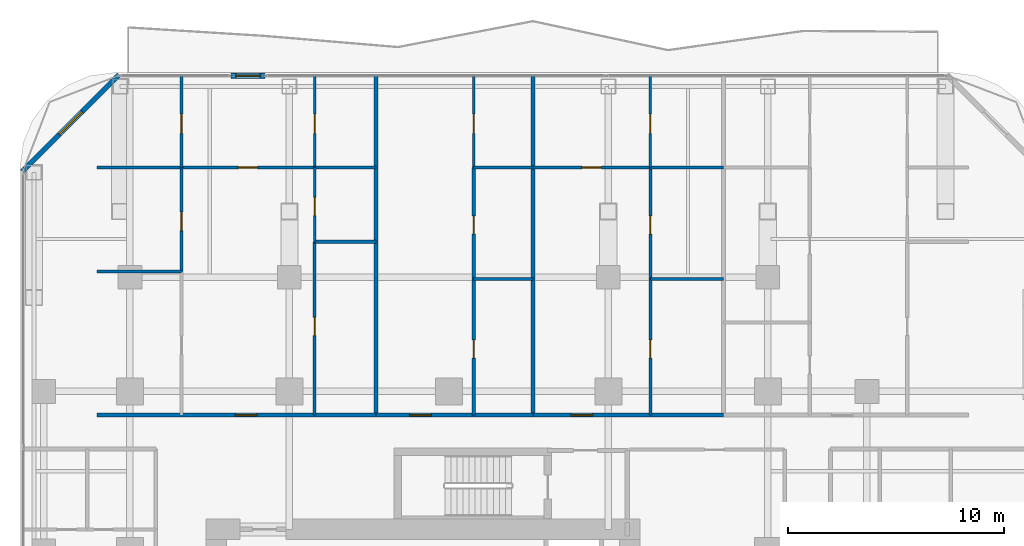
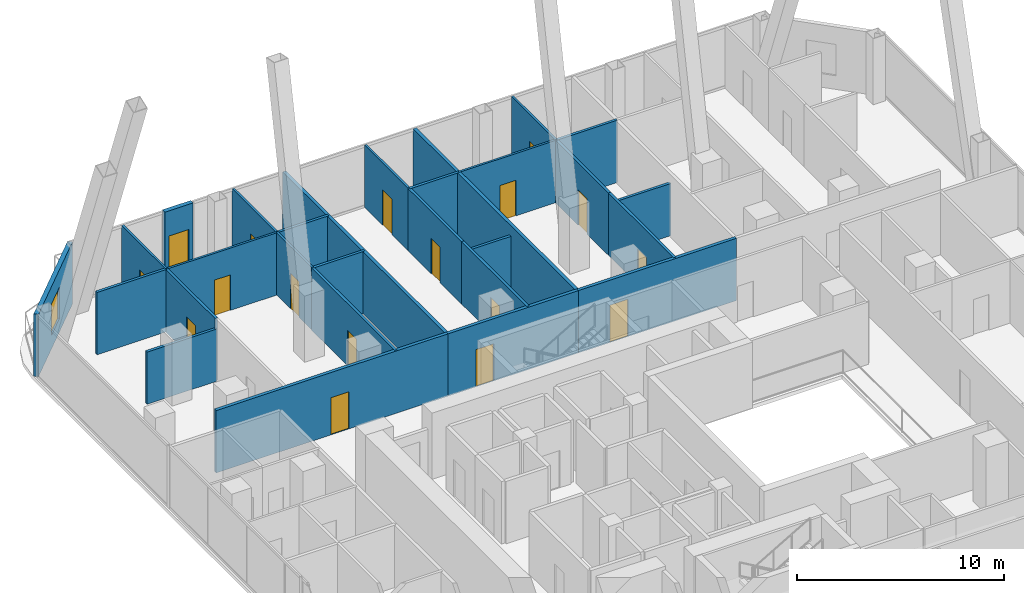
# One storey, part 24 of 28: 28 walls, 17 doors, 1 window, 18 openings.
"""IFC4 building model written with IfcOpenShell, lengths in metres."""

from ifc_helpers import new_model, si_unit, direction, frame, frame_2d, origin, place, context, subcontext, project, spatial, rectangle, extrude, material, layer, layer_set, type_object, element, fill, save


model = new_model("IFC4")

# Units and contexts
model_context = context("Model", 3, precision=1e-05, world=origin(), true_north=direction((0.0, 1.0)))
body_context = subcontext(model_context, "Body", "Model", "MODEL_VIEW")
ifc_project = project(units=[si_unit("LENGTHUNIT", "METRE"), si_unit("AREAUNIT", "SQUARE_METRE"), si_unit("VOLUMEUNIT", "CUBIC_METRE"), si_unit("PLANEANGLEUNIT", "RADIAN"), si_unit("MASSUNIT", "GRAM", prefix="KILO")], contexts=[model_context])

# Site, building, storey
site_placement = place(None, origin())
site = spatial("IfcSite", under=ifc_project, at=site_placement, CompositionType="ELEMENT")
building_placement = place(site_placement, origin())
building = spatial("IfcBuilding", under=site, at=building_placement, Name="Khorvyn Point Tower", CompositionType="ELEMENT")
storey_placement = place(building_placement, frame((0.0, 0.0, 121.199951171875)))
storey = spatial("IfcBuildingStorey", under=building, at=storey_placement, Name="L30", CompositionType="ELEMENT", Elevation=121.199951171875)

# Wall, opening, door
ifc_material_1 = material(Name="Double acoustic gypsum on twin steel stud", Category="steel")
ifc_layer_1 = layer(ifc_material_1, 0.179931640625)
ifc_layer_set_1 = layer_set([ifc_layer_1], Name="Acoustic Double-Stud Apartment Demising Wall 180")
wall_type_1 = type_object("IfcWallType", Name="Acoustic Double-Stud Apartment Demising Wall 180", PredefinedType="PARTITIONING", material=ifc_layer_set_1)
wall_1_placement = place(storey_placement, frame((-16.320068359375, 13.699951171875, 0.0), z_axis=(0.0, 0.0, 1.0), x_axis=(1.0, 0.0, 0.0)))
wall_1 = element("IfcWall", 1, at=wall_1_placement, inside=storey, type_object=wall_type_1, Name="Wall", PredefinedType="PARTITIONING", context=body_context, shape_type="SweptSolid", body=[
    extrude(rectangle(XDim=12.941162109375, YDim=0.179931640625, at=frame_2d((6.470703125, 0.0))), origin(), (0.0, 0.0, 1.0), 3.679931640625),
])
opening_1_placement = place(wall_1_placement, frame((6.41748046875, 0.0, 0.0)))
opening_1 = element("IfcOpeningElement", 2, at=opening_1_placement, cuts=wall_1, Name="Opening ID-AP60", PredefinedType="OPENING", context=body_context, shape_type="SweptSolid", body=[
    extrude(rectangle(XDim=1.0, YDim=2.199951171875, at=frame_2d((0.5, 1.10009765625))), frame((0.0, 0.099853515625, 0.0), z_axis=(0.0, -1.0, 0.0), x_axis=(1.0, 0.0, 0.0)), (0.0, 0.0, 1.0), 0.199951171875),
])
ifc_material_2 = material(Name="Engineered hardwood fire-rated leaf", Category="wood")
door_type_1 = type_object("IfcDoorType", Name="Acoustic Solid-Core Timber Apartment Entrance Door 1000x2200", OperationType="NOTDEFINED", PredefinedType="DOOR", material=ifc_material_2)
door_1_placement = place(opening_1_placement, origin())
door_1 = element("IfcDoor", 3, at=door_1_placement, inside=storey, type_object=door_type_1, Name="Door", OperationType="SINGLE_SWING_RIGHT", OverallHeight=2.199951171875, OverallWidth=1.0, PredefinedType="DOOR", context=body_context, shape_type="SweptSolid", body=[
    extrude(rectangle(XDim=1.0, YDim=2.199951171875, at=frame_2d((0.5, 1.10009765625))), frame((0.0, 0.02490234375, 0.0), z_axis=(0.0, -1.0, 0.0), x_axis=(1.0, 0.0, 0.0)), (0.0, 0.0, 1.0), 0.050048828125),
])
fill(opening_1, door_1)

wall_2_placement = place(storey_placement, frame((-3.37890625, 13.699951171875, 0.0), z_axis=(0.0, 0.0, 1.0), x_axis=(1.0, 0.0, 0.0)))
wall_2 = element("IfcWall", 4, at=wall_2_placement, inside=storey, type_object=wall_type_1, Name="Wall", PredefinedType="PARTITIONING", context=body_context, shape_type="SweptSolid", body=[
    extrude(rectangle(XDim=7.27880859375, YDim=0.179931640625, at=frame_2d((3.639404296875, 0.0))), origin(), (0.0, 0.0, 1.0), 3.679931640625),
])
opening_2_placement = place(wall_2_placement, frame((1.56201171875, 0.0, 0.0)))
opening_2 = element("IfcOpeningElement", 5, at=opening_2_placement, cuts=wall_2, Name="Opening ID-AP60", PredefinedType="OPENING", context=body_context, shape_type="SweptSolid", body=[
    extrude(rectangle(XDim=1.0, YDim=2.199951171875, at=frame_2d((0.5, 1.10009765625))), frame((0.0, 0.099853515625, 0.0), z_axis=(0.0, -1.0, 0.0), x_axis=(1.0, 0.0, 0.0)), (0.0, 0.0, 1.0), 0.199951171875),
])
door_2_placement = place(opening_2_placement, origin())
door_2 = element("IfcDoor", 6, at=door_2_placement, inside=storey, type_object=door_type_1, Name="Door", OperationType="SINGLE_SWING_RIGHT", OverallHeight=2.199951171875, OverallWidth=1.0, PredefinedType="DOOR", context=body_context, shape_type="SweptSolid", body=[
    extrude(rectangle(XDim=1.0, YDim=2.199951171875, at=frame_2d((0.5, 1.10009765625))), frame((0.0, 0.02490234375, 0.0), z_axis=(0.0, -1.0, 0.0), x_axis=(1.0, 0.0, 0.0)), (0.0, 0.0, 1.0), 0.050048828125),
])
fill(opening_2, door_2)

wall_3_placement = place(storey_placement, frame((3.89990234375, 13.699951171875, 0.0), z_axis=(0.0, 0.0, 1.0), x_axis=(1.0, 0.0, 0.0)))
wall_3 = element("IfcWall", 7, at=wall_3_placement, inside=storey, type_object=wall_type_1, Name="Wall", PredefinedType="PARTITIONING", context=body_context, shape_type="SweptSolid", body=[
    extrude(rectangle(XDim=8.836181640625, YDim=0.179931640625, at=frame_2d((4.41796875, 0.0))), origin(), (0.0, 0.0, 1.0), 3.679931640625),
])
opening_3_placement = place(wall_3_placement, frame((1.7705078125, 0.0, 0.0)))
opening_3 = element("IfcOpeningElement", 8, at=opening_3_placement, cuts=wall_3, Name="Opening ID-AP60", PredefinedType="OPENING", context=body_context, shape_type="SweptSolid", body=[
    extrude(rectangle(XDim=1.0, YDim=2.199951171875, at=frame_2d((0.5, 1.10009765625))), frame((0.0, 0.099853515625, 0.0), z_axis=(0.0, -1.0, 0.0), x_axis=(1.0, 0.0, 0.0)), (0.0, 0.0, 1.0), 0.199951171875),
])
door_3_placement = place(opening_3_placement, origin())
door_3 = element("IfcDoor", 9, at=door_3_placement, inside=storey, type_object=door_type_1, Name="Door", OperationType="SINGLE_SWING_RIGHT", OverallHeight=2.199951171875, OverallWidth=1.0, PredefinedType="DOOR", context=body_context, shape_type="SweptSolid", body=[
    extrude(rectangle(XDim=1.0, YDim=2.199951171875, at=frame_2d((0.5, 1.10009765625))), frame((0.0, 0.02490234375, 0.0), z_axis=(0.0, -1.0, 0.0), x_axis=(1.0, 0.0, 0.0)), (0.0, 0.0, 1.0), 0.050048828125),
])
fill(opening_3, door_3)

# Walls
for number, where, z_axis, x_axis, name in (
    (10, (-3.37890625, 13.699951171875, 0.0), (0.0, 0.0, 1.0), (0.0, 1.0, 0.0), "Wall"),
    (11, (3.89990234375, 13.699951171875, 0.0), (0.0, 0.0, 1.0), (0.0, 1.0, 0.0), "Wall"),
):
    element("IfcWall", number, at=place(storey_placement, frame(where, z_axis=z_axis, x_axis=x_axis)), inside=storey, type_object=wall_type_1, Name=name, PredefinedType="PARTITIONING", context=body_context, shape_type="SweptSolid", body=[
        extrude(rectangle(XDim=15.72998046875, YDim=0.179931640625, at=frame_2d((7.864990234375, 0.0))), origin(), (0.0, 0.0, 1.0), 3.679931640625),
    ])

# Wall, opening, door
ifc_material_3 = material(Name="Pale anodised aluminium rainscreen on steel stud", Category="steel")
ifc_layer_2 = layer(ifc_material_3, 0.239990234375)
ifc_layer_set_2 = layer_set([ifc_layer_2], Name="Anodised Aluminium Insulated Corner Spandrel Wall 240")
wall_type_2 = type_object("IfcWallType", Name="Anodised Aluminium Insulated Corner Spandrel Wall 240", PredefinedType="SOLIDWALL", material=ifc_layer_set_2)
wall_4_placement = place(storey_placement, frame((-10.10888671875, 29.449951171875, 0.0), z_axis=(0.0, 0.0, 1.0), x_axis=(1.0, 0.0, 0.0)))
wall_4 = element("IfcWall", 12, at=wall_4_placement, inside=storey, type_object=wall_type_2, Name="L30 North Outdoor Threshold Wall", PredefinedType="SOLIDWALL", context=body_context, shape_type="SweptSolid", body=[
    extrude(rectangle(XDim=1.579833984375, YDim=0.239990234375, at=frame_2d((0.7900390625, 0.0))), origin(), (0.0, 0.0, 1.0), 3.679931640625),
])
opening_4_placement = place(wall_4_placement, frame((0.239990234375, 0.0, 0.0)))
opening_4 = element("IfcOpeningElement", 13, at=opening_4_placement, cuts=wall_4, Name="Opening BD-1122", PredefinedType="OPENING", context=body_context, shape_type="SweptSolid", body=[
    extrude(rectangle(XDim=1.10009765625, YDim=2.199951171875, at=frame_2d((0.550048828125, 1.10009765625))), frame((0.0, 0.1298828125, 0.0), z_axis=(0.0, -1.0, 0.0), x_axis=(1.0, 0.0, 0.0)), (0.0, 0.0, 1.0), 0.260009765625),
])
ifc_material_4 = material(Name="Anodised aluminium 6063-T6 and laminated Low-E glass", Category="aluminium")
door_type_2 = type_object("IfcDoorType", Name="Glazed Balcony and Terrace Threshold Door 1100x2200", OperationType="NOTDEFINED", PredefinedType="DOOR", material=ifc_material_4)
door_4_placement = place(opening_4_placement, origin())
door_4 = element("IfcDoor", 14, at=door_4_placement, inside=storey, type_object=door_type_2, Name="L30 North Glazed Balcony Outdoor Door", OperationType="SINGLE_SWING_LEFT", OverallHeight=2.199951171875, OverallWidth=1.10009765625, PredefinedType="DOOR", context=body_context, shape_type="SweptSolid", body=[
    extrude(rectangle(XDim=1.10009765625, YDim=2.199951171875, at=frame_2d((0.550048828125, 1.10009765625))), frame((0.0, 0.02490234375, 0.0), z_axis=(0.0, -1.0, 0.0), x_axis=(1.0, 0.0, 0.0)), (0.0, 0.0, 1.0), 0.050048828125),
])
fill(opening_4, door_4)

# Wall, opening, window
wall_5_placement = place(storey_placement, frame((-19.79248046875, 25.007568359375, 0.0), z_axis=(0.0, 0.0, 1.0), x_axis=(0.707106781187, 0.707106781187, 0.0)))
wall_5 = element("IfcWall", 15, at=wall_5_placement, inside=storey, type_object=wall_type_2, Name="L30 Rounded Corner Wall NW", PredefinedType="SOLIDWALL", context=body_context, shape_type="SweptSolid", body=[
    extrude(rectangle(XDim=6.342529296875, YDim=0.239990234375, at=frame_2d((3.17138671875, 0.0))), origin(), (0.0, 0.0, 1.0), 3.679931640625),
])
opening_5_placement = place(wall_5_placement, frame((2.42138671875, 0.0, 0.800048828125)))
opening_5 = element("IfcOpeningElement", 16, at=opening_5_placement, cuts=wall_5, Name="Opening WN-1518", PredefinedType="OPENING", context=body_context, shape_type="SweptSolid", body=[
    extrude(rectangle(XDim=1.5, YDim=1.85009765625, at=frame_2d((0.75, 0.925048828125))), frame((0.0, 0.1298828125, 0.0), z_axis=(0.0, -1.0, 0.0), x_axis=(1.0, 0.0, 0.0)), (0.0, 0.0, 1.0), 0.260009765625),
])
window_type = type_object("IfcWindowType", Name="Anodised Aluminium Rounded-Corner Panoramic Window 1500x1850", PartitioningType="SINGLE_PANEL", PredefinedType="WINDOW", material=ifc_material_4)
window_placement = place(opening_5_placement, origin())
window = element("IfcWindow", 17, at=window_placement, inside=storey, type_object=window_type, Name="L30 Corner Panoramic Window NW", OverallHeight=1.85009765625, OverallWidth=1.5, PartitioningType="SINGLE_PANEL", PredefinedType="WINDOW", context=body_context, shape_type="SweptSolid", body=[
    extrude(rectangle(XDim=1.5, YDim=1.85009765625, at=frame_2d((0.75, 0.925048828125))), frame((0.0, 0.030029296875, 0.0), z_axis=(0.0, -1.0, 0.0), x_axis=(1.0, 0.0, 0.0)), (0.0, 0.0, 1.0), 0.06005859375),
])
fill(opening_5, window)

# Wall, opening, door
ifc_material_5 = material(Name="Gypsum plasterboard on steel stud", Category="steel")
ifc_layer_3 = layer(ifc_material_5, 0.1201171875)
ifc_layer_set_3 = layer_set([ifc_layer_3], Name="Gypsum Acoustic Stud Room Partition Wall 120")
wall_type_3 = type_object("IfcWallType", Name="Gypsum Acoustic Stud Room Partition Wall 120", PredefinedType="PARTITIONING", material=ifc_layer_set_3)
wall_6_placement = place(storey_placement, frame((-12.407958984375, 25.18994140625, 0.0), z_axis=(0.0, 0.0, 1.0), x_axis=(1.0, 0.0, 0.0)))
wall_6 = element("IfcWall", 18, at=wall_6_placement, inside=storey, type_object=wall_type_3, Name="Wall", PredefinedType="PARTITIONING", context=body_context, shape_type="SweptSolid", body=[
    extrude(rectangle(XDim=6.178955078125, YDim=0.1201171875, at=frame_2d((3.08935546875, 0.0))), origin(), (0.0, 0.0, 1.0), 3.679931640625),
])
opening_6_placement = place(wall_6_placement, frame((2.639404296875, 0.0, 0.0)))
opening_6 = element("IfcOpeningElement", 19, at=opening_6_placement, cuts=wall_6, Name="Opening ID-RM90", PredefinedType="OPENING", context=body_context, shape_type="SweptSolid", body=[
    extrude(rectangle(XDim=0.89990234375, YDim=2.10009765625, at=frame_2d((0.449951171875, 1.050048828125))), frame((0.0, 0.070068359375, 0.0), z_axis=(0.0, -1.0, 0.0), x_axis=(1.0, 0.0, 0.0)), (0.0, 0.0, 1.0), 0.14013671875),
])
ifc_material_6 = material(Name="Engineered oak veneer timber", Category="wood")
door_type_3 = type_object("IfcDoorType", Name="Flush Engineered Timber Room Door 900x2100", OperationType="NOTDEFINED", PredefinedType="DOOR", material=ifc_material_6)
door_5_placement = place(opening_6_placement, origin())
door_5 = element("IfcDoor", 20, at=door_5_placement, inside=storey, type_object=door_type_3, Name="Door", OperationType="SINGLE_SWING_LEFT", OverallHeight=2.10009765625, OverallWidth=0.89990234375, PredefinedType="DOOR", context=body_context, shape_type="SweptSolid", body=[
    extrude(rectangle(XDim=0.89990234375, YDim=2.10009765625, at=frame_2d((0.449951171875, 1.050048828125))), frame((0.0, 0.02490234375, 0.0), z_axis=(0.0, -1.0, 0.0), x_axis=(1.0, 0.0, 0.0)), (0.0, 0.0, 1.0), 0.050048828125),
])
fill(opening_6, door_5)

wall_7_placement = place(storey_placement, frame((-12.407958984375, 25.18994140625, 0.0), z_axis=(0.0, 0.0, 1.0), x_axis=(0.0, 1.0, 0.0)))
wall_7 = element("IfcWall", 21, at=wall_7_placement, inside=storey, type_object=wall_type_3, Name="Wall", PredefinedType="PARTITIONING", context=body_context, shape_type="SweptSolid", body=[
    extrude(rectangle(XDim=4.239990234375, YDim=0.1201171875, at=frame_2d((2.1201171875, 0.0))), origin(), (0.0, 0.0, 1.0), 3.679931640625),
])
opening_7_placement = place(wall_7_placement, frame((1.581298828125, 0.0, 0.0)))
opening_7 = element("IfcOpeningElement", 22, at=opening_7_placement, cuts=wall_7, Name="Opening ID-RM90", PredefinedType="OPENING", context=body_context, shape_type="SweptSolid", body=[
    extrude(rectangle(XDim=0.89990234375, YDim=2.10009765625, at=frame_2d((0.449951171875, 1.050048828125))), frame((0.0, 0.070068359375, 0.0), z_axis=(0.0, -1.0, 0.0), x_axis=(1.0, 0.0, 0.0)), (0.0, 0.0, 1.0), 0.14013671875),
])
door_6_placement = place(opening_7_placement, origin())
door_6 = element("IfcDoor", 23, at=door_6_placement, inside=storey, type_object=door_type_3, Name="Door", OperationType="SINGLE_SWING_RIGHT", OverallHeight=2.10009765625, OverallWidth=0.89990234375, PredefinedType="DOOR", context=body_context, shape_type="SweptSolid", body=[
    extrude(rectangle(XDim=0.89990234375, YDim=2.10009765625, at=frame_2d((0.449951171875, 1.050048828125))), frame((0.0, 0.02490234375, 0.0), z_axis=(0.0, -1.0, 0.0), x_axis=(1.0, 0.0, 0.0)), (0.0, 0.0, 1.0), 0.050048828125),
])
fill(opening_7, door_6)

wall_8_placement = place(storey_placement, frame((-6.22900390625, 21.742919921875, 0.0), z_axis=(0.0, 0.0, 1.0), x_axis=(0.0, 1.0, 0.0)))
wall_8 = element("IfcWall", 24, at=wall_8_placement, inside=storey, type_object=wall_type_3, Name="Wall", PredefinedType="PARTITIONING", context=body_context, shape_type="SweptSolid", body=[
    extrude(rectangle(XDim=3.447021484375, YDim=0.1201171875, at=frame_2d((1.7236328125, 0.0))), origin(), (0.0, 0.0, 1.0), 3.679931640625),
])
opening_8_placement = place(wall_8_placement, frame((1.2109375, 0.0, 0.0)))
opening_8 = element("IfcOpeningElement", 25, at=opening_8_placement, cuts=wall_8, Name="Opening ID-WC85", PredefinedType="OPENING", context=body_context, shape_type="SweptSolid", body=[
    extrude(rectangle(XDim=0.85009765625, YDim=2.10009765625, at=frame_2d((0.425048828125, 1.050048828125))), frame((0.0, 0.070068359375, 0.0), z_axis=(0.0, -1.0, 0.0), x_axis=(1.0, 0.0, 0.0)), (0.0, 0.0, 1.0), 0.14013671875),
])
ifc_material_7 = material(Name="High-pressure laminate on moisture-resistant core", Category="wood")
door_type_4 = type_object("IfcDoorType", Name="Moisture-Resistant Accessible Washroom Door 850x2100", OperationType="NOTDEFINED", PredefinedType="DOOR", material=ifc_material_7)
door_7_placement = place(opening_8_placement, origin())
door_7 = element("IfcDoor", 26, at=door_7_placement, inside=storey, type_object=door_type_4, Name="Door", OperationType="SINGLE_SWING_RIGHT", OverallHeight=2.10009765625, OverallWidth=0.85009765625, PredefinedType="DOOR", context=body_context, shape_type="SweptSolid", body=[
    extrude(rectangle(XDim=0.85009765625, YDim=2.10009765625, at=frame_2d((0.425048828125, 1.050048828125))), frame((0.0, 0.02490234375, 0.0), z_axis=(0.0, -1.0, 0.0), x_axis=(1.0, 0.0, 0.0)), (0.0, 0.0, 1.0), 0.050048828125),
])
fill(opening_8, door_7)

wall_9_placement = place(storey_placement, frame((-6.22900390625, 25.18994140625, 0.0), z_axis=(0.0, 0.0, 1.0), x_axis=(0.0, 1.0, 0.0)))
wall_9 = element("IfcWall", 27, at=wall_9_placement, inside=storey, type_object=wall_type_3, Name="Wall", PredefinedType="PARTITIONING", context=body_context, shape_type="SweptSolid", body=[
    extrude(rectangle(XDim=4.239990234375, YDim=0.1201171875, at=frame_2d((2.1201171875, 0.0))), origin(), (0.0, 0.0, 1.0), 3.679931640625),
])
opening_9_placement = place(wall_9_placement, frame((1.581298828125, 0.0, 0.0)))
opening_9 = element("IfcOpeningElement", 28, at=opening_9_placement, cuts=wall_9, Name="Opening ID-RM90", PredefinedType="OPENING", context=body_context, shape_type="SweptSolid", body=[
    extrude(rectangle(XDim=0.89990234375, YDim=2.10009765625, at=frame_2d((0.449951171875, 1.050048828125))), frame((0.0, 0.070068359375, 0.0), z_axis=(0.0, -1.0, 0.0), x_axis=(1.0, 0.0, 0.0)), (0.0, 0.0, 1.0), 0.14013671875),
])
door_8_placement = place(opening_9_placement, origin())
door_8 = element("IfcDoor", 29, at=door_8_placement, inside=storey, type_object=door_type_3, Name="Door", OperationType="SINGLE_SWING_LEFT", OverallHeight=2.10009765625, OverallWidth=0.89990234375, PredefinedType="DOOR", context=body_context, shape_type="SweptSolid", body=[
    extrude(rectangle(XDim=0.89990234375, YDim=2.10009765625, at=frame_2d((0.449951171875, 1.050048828125))), frame((0.0, 0.02490234375, 0.0), z_axis=(0.0, -1.0, 0.0), x_axis=(1.0, 0.0, 0.0)), (0.0, 0.0, 1.0), 0.050048828125),
])
fill(opening_9, door_8)

wall_10_placement = place(storey_placement, frame((1.14990234375, 25.18994140625, 0.0), z_axis=(0.0, 0.0, 1.0), x_axis=(0.0, 1.0, 0.0)))
wall_10 = element("IfcWall", 30, at=wall_10_placement, inside=storey, type_object=wall_type_3, Name="Wall", PredefinedType="PARTITIONING", context=body_context, shape_type="SweptSolid", body=[
    extrude(rectangle(XDim=4.239990234375, YDim=0.1201171875, at=frame_2d((2.1201171875, 0.0))), origin(), (0.0, 0.0, 1.0), 3.679931640625),
])
opening_10_placement = place(wall_10_placement, frame((1.581298828125, 0.0, 0.0)))
opening_10 = element("IfcOpeningElement", 31, at=opening_10_placement, cuts=wall_10, Name="Opening ID-RM90", PredefinedType="OPENING", context=body_context, shape_type="SweptSolid", body=[
    extrude(rectangle(XDim=0.89990234375, YDim=2.10009765625, at=frame_2d((0.449951171875, 1.050048828125))), frame((0.0, 0.070068359375, 0.0), z_axis=(0.0, -1.0, 0.0), x_axis=(1.0, 0.0, 0.0)), (0.0, 0.0, 1.0), 0.14013671875),
])
door_9_placement = place(opening_10_placement, origin())
door_9 = element("IfcDoor", 32, at=door_9_placement, inside=storey, type_object=door_type_3, Name="Door", OperationType="SINGLE_SWING_LEFT", OverallHeight=2.10009765625, OverallWidth=0.89990234375, PredefinedType="DOOR", context=body_context, shape_type="SweptSolid", body=[
    extrude(rectangle(XDim=0.89990234375, YDim=2.10009765625, at=frame_2d((0.449951171875, 1.050048828125))), frame((0.0, 0.02490234375, 0.0), z_axis=(0.0, -1.0, 0.0), x_axis=(1.0, 0.0, 0.0)), (0.0, 0.0, 1.0), 0.050048828125),
])
fill(opening_10, door_9)

wall_11_placement = place(storey_placement, frame((3.89990234375, 25.18994140625, 0.0), z_axis=(0.0, 0.0, 1.0), x_axis=(1.0, 0.0, 0.0)))
wall_11 = element("IfcWall", 33, at=wall_11_placement, inside=storey, type_object=wall_type_3, Name="Wall", PredefinedType="PARTITIONING", context=body_context, shape_type="SweptSolid", body=[
    extrude(rectangle(XDim=5.451171875, YDim=0.1201171875, at=frame_2d((2.7255859375, 0.0))), origin(), (0.0, 0.0, 1.0), 3.679931640625),
])
opening_11_placement = place(wall_11_placement, frame((2.275390625, 0.0, 0.0)))
opening_11 = element("IfcOpeningElement", 34, at=opening_11_placement, cuts=wall_11, Name="Opening ID-RM90", PredefinedType="OPENING", context=body_context, shape_type="SweptSolid", body=[
    extrude(rectangle(XDim=0.89990234375, YDim=2.10009765625, at=frame_2d((0.449951171875, 1.050048828125))), frame((0.0, 0.070068359375, 0.0), z_axis=(0.0, -1.0, 0.0), x_axis=(1.0, 0.0, 0.0)), (0.0, 0.0, 1.0), 0.14013671875),
])
door_10_placement = place(opening_11_placement, origin())
door_10 = element("IfcDoor", 35, at=door_10_placement, inside=storey, type_object=door_type_3, Name="Door", OperationType="SINGLE_SWING_LEFT", OverallHeight=2.10009765625, OverallWidth=0.89990234375, PredefinedType="DOOR", context=body_context, shape_type="SweptSolid", body=[
    extrude(rectangle(XDim=0.89990234375, YDim=2.10009765625, at=frame_2d((0.449951171875, 1.050048828125))), frame((0.0, 0.02490234375, 0.0), z_axis=(0.0, -1.0, 0.0), x_axis=(1.0, 0.0, 0.0)), (0.0, 0.0, 1.0), 0.050048828125),
])
fill(opening_11, door_10)

wall_12_placement = place(storey_placement, frame((9.35107421875, 25.18994140625, 0.0), z_axis=(0.0, 0.0, 1.0), x_axis=(0.0, 1.0, 0.0)))
wall_12 = element("IfcWall", 36, at=wall_12_placement, inside=storey, type_object=wall_type_3, Name="Wall", PredefinedType="PARTITIONING", context=body_context, shape_type="SweptSolid", body=[
    extrude(rectangle(XDim=4.239990234375, YDim=0.1201171875, at=frame_2d((2.1201171875, 0.0))), origin(), (0.0, 0.0, 1.0), 3.679931640625),
])
opening_12_placement = place(wall_12_placement, frame((1.581298828125, 0.0, 0.0)))
opening_12 = element("IfcOpeningElement", 37, at=opening_12_placement, cuts=wall_12, Name="Opening ID-RM90", PredefinedType="OPENING", context=body_context, shape_type="SweptSolid", body=[
    extrude(rectangle(XDim=0.89990234375, YDim=2.10009765625, at=frame_2d((0.449951171875, 1.050048828125))), frame((0.0, 0.070068359375, 0.0), z_axis=(0.0, -1.0, 0.0), x_axis=(1.0, 0.0, 0.0)), (0.0, 0.0, 1.0), 0.14013671875),
])
door_11_placement = place(opening_12_placement, origin())
door_11 = element("IfcDoor", 38, at=door_11_placement, inside=storey, type_object=door_type_3, Name="Door", OperationType="SINGLE_SWING_RIGHT", OverallHeight=2.10009765625, OverallWidth=0.89990234375, PredefinedType="DOOR", context=body_context, shape_type="SweptSolid", body=[
    extrude(rectangle(XDim=0.89990234375, YDim=2.10009765625, at=frame_2d((0.449951171875, 1.050048828125))), frame((0.0, 0.02490234375, 0.0), z_axis=(0.0, -1.0, 0.0), x_axis=(1.0, 0.0, 0.0)), (0.0, 0.0, 1.0), 0.050048828125),
])
fill(opening_12, door_11)

ifc_material_8 = material(Name="Moisture-resistant gypsum and cement board", Category="gypsum")
ifc_layer_4 = layer(ifc_material_8, 0.14990234375)
ifc_layer_set_4 = layer_set([ifc_layer_4], Name="Moisture-Resistant Wet-Room Partition Wall 150")
wall_type_4 = type_object("IfcWallType", Name="Moisture-Resistant Wet-Room Partition Wall 150", PredefinedType="PARTITIONING", material=ifc_layer_set_4)
wall_13_placement = place(storey_placement, frame((-12.407958984375, 20.364013671875, 0.0), z_axis=(0.0, 0.0, 1.0), x_axis=(0.0, 1.0, 0.0)))
wall_13 = element("IfcWall", 39, at=wall_13_placement, inside=storey, type_object=wall_type_4, Name="Wall", PredefinedType="PARTITIONING", context=body_context, shape_type="SweptSolid", body=[
    extrude(rectangle(XDim=4.825927734375, YDim=0.14990234375, at=frame_2d((2.4130859375, 0.0))), origin(), (0.0, 0.0, 1.0), 3.679931640625),
])
opening_13_placement = place(wall_13_placement, frame((1.90087890625, 0.0, 0.0)))
opening_13 = element("IfcOpeningElement", 40, at=opening_13_placement, cuts=wall_13, Name="Opening ID-WC85", PredefinedType="OPENING", context=body_context, shape_type="SweptSolid", body=[
    extrude(rectangle(XDim=0.85009765625, YDim=2.10009765625, at=frame_2d((0.425048828125, 1.050048828125))), frame((0.0, 0.0849609375, 0.0), z_axis=(0.0, -1.0, 0.0), x_axis=(1.0, 0.0, 0.0)), (0.0, 0.0, 1.0), 0.169921875),
])
door_12_placement = place(opening_13_placement, origin())
door_12 = element("IfcDoor", 41, at=door_12_placement, inside=storey, type_object=door_type_4, Name="Door", OperationType="SINGLE_SWING_LEFT", OverallHeight=2.10009765625, OverallWidth=0.85009765625, PredefinedType="DOOR", context=body_context, shape_type="SweptSolid", body=[
    extrude(rectangle(XDim=0.85009765625, YDim=2.10009765625, at=frame_2d((0.425048828125, 1.050048828125))), frame((0.0, 0.02490234375, 0.0), z_axis=(0.0, -1.0, 0.0), x_axis=(1.0, 0.0, 0.0)), (0.0, 0.0, 1.0), 0.050048828125),
])
fill(opening_13, door_12)

wall_14_placement = place(storey_placement, frame((-6.22900390625, 13.699951171875, 0.0), z_axis=(0.0, 0.0, 1.0), x_axis=(0.0, 1.0, 0.0)))
wall_14 = element("IfcWall", 42, at=wall_14_placement, inside=storey, type_object=wall_type_4, Name="Wall", PredefinedType="PARTITIONING", context=body_context, shape_type="SweptSolid", body=[
    extrude(rectangle(XDim=8.04296875, YDim=0.14990234375, at=frame_2d((4.021484375, 0.0))), origin(), (0.0, 0.0, 1.0), 3.679931640625),
])
opening_14_placement = place(wall_14_placement, frame((3.6845703125, 0.0, 0.0)))
opening_14 = element("IfcOpeningElement", 43, at=opening_14_placement, cuts=wall_14, Name="Opening ID-WC85", PredefinedType="OPENING", context=body_context, shape_type="SweptSolid", body=[
    extrude(rectangle(XDim=0.85009765625, YDim=2.10009765625, at=frame_2d((0.425048828125, 1.050048828125))), frame((0.0, 0.0849609375, 0.0), z_axis=(0.0, -1.0, 0.0), x_axis=(1.0, 0.0, 0.0)), (0.0, 0.0, 1.0), 0.169921875),
])
door_13_placement = place(opening_14_placement, origin())
door_13 = element("IfcDoor", 44, at=door_13_placement, inside=storey, type_object=door_type_4, Name="Door", OperationType="SINGLE_SWING_LEFT", OverallHeight=2.10009765625, OverallWidth=0.85009765625, PredefinedType="DOOR", context=body_context, shape_type="SweptSolid", body=[
    extrude(rectangle(XDim=0.85009765625, YDim=2.10009765625, at=frame_2d((0.425048828125, 1.050048828125))), frame((0.0, 0.02490234375, 0.0), z_axis=(0.0, -1.0, 0.0), x_axis=(1.0, 0.0, 0.0)), (0.0, 0.0, 1.0), 0.050048828125),
])
fill(opening_14, door_13)

wall_15_placement = place(storey_placement, frame((1.14990234375, 13.699951171875, 0.0), z_axis=(0.0, 0.0, 1.0), x_axis=(0.0, 1.0, 0.0)))
wall_15 = element("IfcWall", 45, at=wall_15_placement, inside=storey, type_object=wall_type_4, Name="Wall", PredefinedType="PARTITIONING", context=body_context, shape_type="SweptSolid", body=[
    extrude(rectangle(XDim=6.320068359375, YDim=0.14990234375, at=frame_2d((3.16015625, 0.0))), origin(), (0.0, 0.0, 1.0), 3.679931640625),
])
opening_15_placement = place(wall_15_placement, frame((2.646240234375, 0.0, 0.0)))
opening_15 = element("IfcOpeningElement", 46, at=opening_15_placement, cuts=wall_15, Name="Opening ID-WC85", PredefinedType="OPENING", context=body_context, shape_type="SweptSolid", body=[
    extrude(rectangle(XDim=0.85009765625, YDim=2.10009765625, at=frame_2d((0.425048828125, 1.050048828125))), frame((0.0, 0.0849609375, 0.0), z_axis=(0.0, -1.0, 0.0), x_axis=(1.0, 0.0, 0.0)), (0.0, 0.0, 1.0), 0.169921875),
])
door_14_placement = place(opening_15_placement, origin())
door_14 = element("IfcDoor", 47, at=door_14_placement, inside=storey, type_object=door_type_4, Name="Door", OperationType="SINGLE_SWING_LEFT", OverallHeight=2.10009765625, OverallWidth=0.85009765625, PredefinedType="DOOR", context=body_context, shape_type="SweptSolid", body=[
    extrude(rectangle(XDim=0.85009765625, YDim=2.10009765625, at=frame_2d((0.425048828125, 1.050048828125))), frame((0.0, 0.02490234375, 0.0), z_axis=(0.0, -1.0, 0.0), x_axis=(1.0, 0.0, 0.0)), (0.0, 0.0, 1.0), 0.050048828125),
])
fill(opening_15, door_14)

wall_16_placement = place(storey_placement, frame((1.14990234375, 20.02001953125, 0.0), z_axis=(0.0, 0.0, 1.0), x_axis=(0.0, 1.0, 0.0)))
wall_16 = element("IfcWall", 48, at=wall_16_placement, inside=storey, type_object=wall_type_4, Name="Wall", PredefinedType="PARTITIONING", context=body_context, shape_type="SweptSolid", body=[
    extrude(rectangle(XDim=5.169921875, YDim=0.14990234375, at=frame_2d((2.5849609375, 0.0))), origin(), (0.0, 0.0, 1.0), 3.679931640625),
])
opening_16_placement = place(wall_16_placement, frame((2.072998046875, 0.0, 0.0)))
opening_16 = element("IfcOpeningElement", 49, at=opening_16_placement, cuts=wall_16, Name="Opening ID-WC85", PredefinedType="OPENING", context=body_context, shape_type="SweptSolid", body=[
    extrude(rectangle(XDim=0.85009765625, YDim=2.10009765625, at=frame_2d((0.425048828125, 1.050048828125))), frame((0.0, 0.0849609375, 0.0), z_axis=(0.0, -1.0, 0.0), x_axis=(1.0, 0.0, 0.0)), (0.0, 0.0, 1.0), 0.169921875),
])
door_15_placement = place(opening_16_placement, origin())
door_15 = element("IfcDoor", 50, at=door_15_placement, inside=storey, type_object=door_type_4, Name="Door", OperationType="SINGLE_SWING_RIGHT", OverallHeight=2.10009765625, OverallWidth=0.85009765625, PredefinedType="DOOR", context=body_context, shape_type="SweptSolid", body=[
    extrude(rectangle(XDim=0.85009765625, YDim=2.10009765625, at=frame_2d((0.425048828125, 1.050048828125))), frame((0.0, 0.02490234375, 0.0), z_axis=(0.0, -1.0, 0.0), x_axis=(1.0, 0.0, 0.0)), (0.0, 0.0, 1.0), 0.050048828125),
])
fill(opening_16, door_15)

wall_17_placement = place(storey_placement, frame((9.35107421875, 13.699951171875, 0.0), z_axis=(0.0, 0.0, 1.0), x_axis=(0.0, 1.0, 0.0)))
wall_17 = element("IfcWall", 51, at=wall_17_placement, inside=storey, type_object=wall_type_4, Name="Wall", PredefinedType="PARTITIONING", context=body_context, shape_type="SweptSolid", body=[
    extrude(rectangle(XDim=6.320068359375, YDim=0.14990234375, at=frame_2d((3.16015625, 0.0))), origin(), (0.0, 0.0, 1.0), 3.679931640625),
])
opening_17_placement = place(wall_17_placement, frame((2.646240234375, 0.0, 0.0)))
opening_17 = element("IfcOpeningElement", 52, at=opening_17_placement, cuts=wall_17, Name="Opening ID-WC85", PredefinedType="OPENING", context=body_context, shape_type="SweptSolid", body=[
    extrude(rectangle(XDim=0.85009765625, YDim=2.10009765625, at=frame_2d((0.425048828125, 1.050048828125))), frame((0.0, 0.0849609375, 0.0), z_axis=(0.0, -1.0, 0.0), x_axis=(1.0, 0.0, 0.0)), (0.0, 0.0, 1.0), 0.169921875),
])
door_16_placement = place(opening_17_placement, origin())
door_16 = element("IfcDoor", 53, at=door_16_placement, inside=storey, type_object=door_type_4, Name="Door", OperationType="SINGLE_SWING_RIGHT", OverallHeight=2.10009765625, OverallWidth=0.85009765625, PredefinedType="DOOR", context=body_context, shape_type="SweptSolid", body=[
    extrude(rectangle(XDim=0.85009765625, YDim=2.10009765625, at=frame_2d((0.425048828125, 1.050048828125))), frame((0.0, 0.02490234375, 0.0), z_axis=(0.0, -1.0, 0.0), x_axis=(1.0, 0.0, 0.0)), (0.0, 0.0, 1.0), 0.050048828125),
])
fill(opening_17, door_16)

wall_18_placement = place(storey_placement, frame((9.35107421875, 20.02001953125, 0.0), z_axis=(0.0, 0.0, 1.0), x_axis=(0.0, 1.0, 0.0)))
wall_18 = element("IfcWall", 54, at=wall_18_placement, inside=storey, type_object=wall_type_4, Name="Wall", PredefinedType="PARTITIONING", context=body_context, shape_type="SweptSolid", body=[
    extrude(rectangle(XDim=5.169921875, YDim=0.14990234375, at=frame_2d((2.5849609375, 0.0))), origin(), (0.0, 0.0, 1.0), 3.679931640625),
])
opening_18_placement = place(wall_18_placement, frame((2.072998046875, 0.0, 0.0)))
opening_18 = element("IfcOpeningElement", 55, at=opening_18_placement, cuts=wall_18, Name="Opening ID-WC85", PredefinedType="OPENING", context=body_context, shape_type="SweptSolid", body=[
    extrude(rectangle(XDim=0.85009765625, YDim=2.10009765625, at=frame_2d((0.425048828125, 1.050048828125))), frame((0.0, 0.0849609375, 0.0), z_axis=(0.0, -1.0, 0.0), x_axis=(1.0, 0.0, 0.0)), (0.0, 0.0, 1.0), 0.169921875),
])
door_17_placement = place(opening_18_placement, origin())
door_17 = element("IfcDoor", 56, at=door_17_placement, inside=storey, type_object=door_type_4, Name="Door", OperationType="SINGLE_SWING_LEFT", OverallHeight=2.10009765625, OverallWidth=0.85009765625, PredefinedType="DOOR", context=body_context, shape_type="SweptSolid", body=[
    extrude(rectangle(XDim=0.85009765625, YDim=2.10009765625, at=frame_2d((0.425048828125, 1.050048828125))), frame((0.0, 0.02490234375, 0.0), z_axis=(0.0, -1.0, 0.0), x_axis=(1.0, 0.0, 0.0)), (0.0, 0.0, 1.0), 0.050048828125),
])
fill(opening_18, door_17)

# Walls
wall_19_placement = place(storey_placement, frame((-16.320068359375, 20.364013671875, 0.0), z_axis=(0.0, 0.0, 1.0), x_axis=(1.0, 0.0, 0.0)))
element("IfcWall", 57, at=wall_19_placement, inside=storey, type_object=wall_type_4, Name="Wall", PredefinedType="PARTITIONING", context=body_context, shape_type="SweptSolid", body=[
    extrude(rectangle(XDim=3.912109375, YDim=0.14990234375, at=frame_2d((1.9560546875, 0.0))), origin(), (0.0, 0.0, 1.0), 3.08203125),
])
wall_20_placement = place(storey_placement, frame((-16.320068359375, 25.18994140625, 0.0), z_axis=(0.0, 0.0, 1.0), x_axis=(1.0, 0.0, 0.0)))
element("IfcWall", 58, at=wall_20_placement, inside=storey, type_object=wall_type_4, Name="Wall", PredefinedType="PARTITIONING", context=body_context, shape_type="SweptSolid", body=[
    extrude(rectangle(XDim=3.912109375, YDim=0.14990234375, at=frame_2d((1.9560546875, 0.0))), origin(), (0.0, 0.0, 1.0), 3.679931640625),
])
for number, where, z_axis, x_axis, name in (
    (59, (-6.22900390625, 21.742919921875, 0.0), (0.0, 0.0, 1.0), (1.0, 0.0, 0.0), "Wall"),
    (60, (-6.22900390625, 25.18994140625, 0.0), (0.0, 0.0, 1.0), (1.0, 0.0, 0.0), "Wall"),
):
    element("IfcWall", number, at=place(storey_placement, frame(where, z_axis=z_axis, x_axis=x_axis)), inside=storey, type_object=wall_type_4, Name=name, PredefinedType="PARTITIONING", context=body_context, shape_type="SweptSolid", body=[
        extrude(rectangle(XDim=2.85009765625, YDim=0.14990234375, at=frame_2d((1.425048828125, 0.0))), origin(), (0.0, 0.0, 1.0), 3.679931640625),
    ])
wall_21_placement = place(storey_placement, frame((1.14990234375, 20.02001953125, 0.0), z_axis=(0.0, 0.0, 1.0), x_axis=(1.0, 0.0, 0.0)))
element("IfcWall", 61, at=wall_21_placement, inside=storey, type_object=wall_type_4, Name="Wall", PredefinedType="PARTITIONING", context=body_context, shape_type="SweptSolid", body=[
    extrude(rectangle(XDim=2.75, YDim=0.14990234375, at=frame_2d((1.375, 0.0))), origin(), (0.0, 0.0, 1.0), 3.08203125),
])
wall_22_placement = place(storey_placement, frame((1.14990234375, 25.18994140625, 0.0), z_axis=(0.0, 0.0, 1.0), x_axis=(1.0, 0.0, 0.0)))
element("IfcWall", 62, at=wall_22_placement, inside=storey, type_object=wall_type_4, Name="Wall", PredefinedType="PARTITIONING", context=body_context, shape_type="SweptSolid", body=[
    extrude(rectangle(XDim=2.75, YDim=0.14990234375, at=frame_2d((1.375, 0.0))), origin(), (0.0, 0.0, 1.0), 3.679931640625),
])
wall_23_placement = place(storey_placement, frame((9.35107421875, 20.02001953125, 0.0), z_axis=(0.0, 0.0, 1.0), x_axis=(1.0, 0.0, 0.0)))
element("IfcWall", 63, at=wall_23_placement, inside=storey, type_object=wall_type_4, Name="Wall", PredefinedType="PARTITIONING", context=body_context, shape_type="SweptSolid", body=[
    extrude(rectangle(XDim=3.385009765625, YDim=0.14990234375, at=frame_2d((1.6923828125, 0.0))), origin(), (0.0, 0.0, 1.0), 3.08203125),
])
wall_24_placement = place(storey_placement, frame((9.35107421875, 25.18994140625, 0.0), z_axis=(0.0, 0.0, 1.0), x_axis=(1.0, 0.0, 0.0)))
element("IfcWall", 64, at=wall_24_placement, inside=storey, type_object=wall_type_4, Name="Wall", PredefinedType="PARTITIONING", context=body_context, shape_type="SweptSolid", body=[
    extrude(rectangle(XDim=3.385009765625, YDim=0.14990234375, at=frame_2d((1.6923828125, 0.0))), origin(), (0.0, 0.0, 1.0), 3.679931640625),
])

save(model, "model.ifc")
